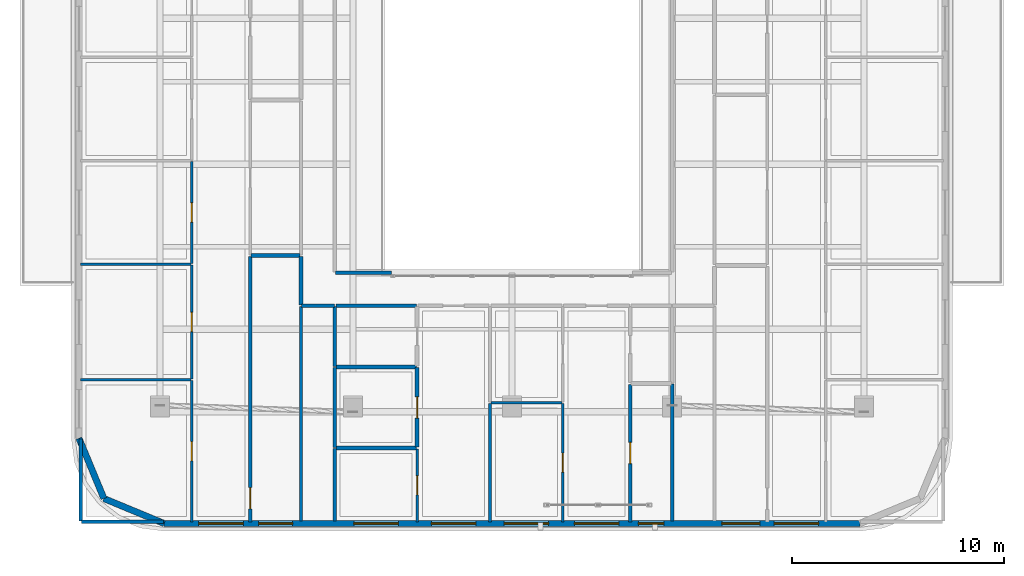
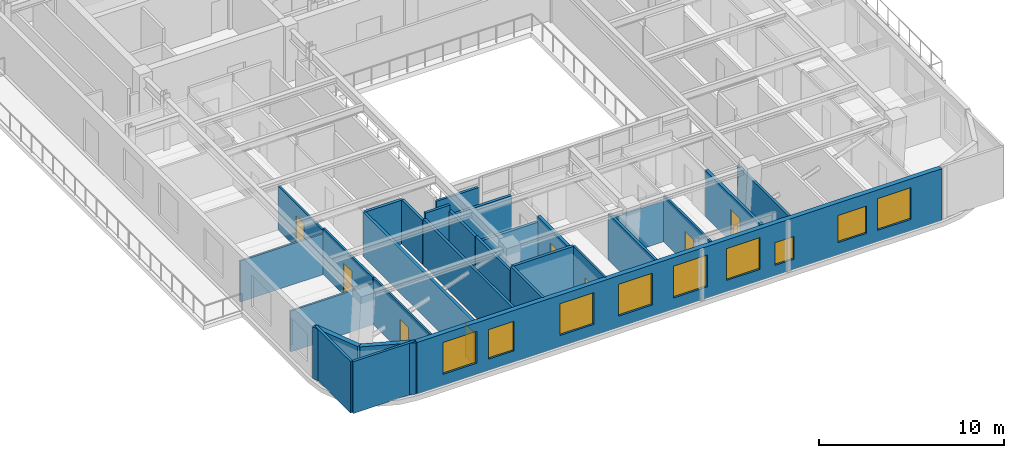
# One storey, part 6 of 14: 29 walls, 9 windows, 8 doors, 17 openings.
"""IFC4 building model written with IfcOpenShell, lengths in metres."""

import ifcopenshell
import ifcopenshell.guid

model = None  # the IFC model being written
_history = None  # IfcOwnerHistory: only IFC2X3 demands one
_inside = {}  # id of a spatial element -> (the spatial element, [elements in it])
_under = {}  # id of a project, library or spatial element -> (it, [spatial elements below it])
_declared = {}  # id of a project -> (the project, [libraries it declares])
_typed = {}  # id of a type object -> (the type object, [elements of that type])
_made_of = {}  # id of a material, layer set ... -> (it, [elements and type objects made of it])


def new_model(schema):
    """Start an empty IFC model of exactly this schema.

    Asked for "IFC4X3", IfcOpenShell would pick the latest addendum, in which some entities
    have other attributes; the version numbers below select the first issue.
    IFC2X3 requires an IfcOwnerHistory on every rooted entity: one is made here for all.
    """
    global model, _history
    if schema == "IFC4X3":
        model = ifcopenshell.file(schema_version=(4, 3, 0, 0))
    else:
        model = ifcopenshell.file(schema=schema)
    _inside.clear()
    _under.clear()
    _declared.clear()
    _typed.clear()
    _made_of.clear()
    _history = None
    if model.schema == "IFC2X3":
        org = make("IfcOrganization", Name="unknown")
        user = make(
            "IfcPersonAndOrganization",
            ThePerson=make("IfcPerson", FamilyName="unknown"),
            TheOrganization=org,
        )
        app = make(
            "IfcApplication",
            ApplicationDeveloper=org,
            Version="unknown",
            ApplicationFullName="unknown",
            ApplicationIdentifier="unknown",
        )
        _history = make(
            "IfcOwnerHistory",
            OwningUser=user,
            OwningApplication=app,
            ChangeAction="ADDED",
            CreationDate=0,
        )
    return model


def make(cls, **values):
    """One entity of the class cls with the attributes given. An attribute that is None is left unset."""
    return model.create_entity(
        cls, **{name: value for name, value in values.items() if value is not None}
    )


def rooted(cls, **values):
    """An entity with a GlobalId (a new one), such as an element, a storey or a relation."""
    return make(cls, GlobalId=ifcopenshell.guid.new(), OwnerHistory=_history, **values)


def si_unit(unit_type, name, prefix=None):
    """IfcSIUnit, for example si_unit("LENGTHUNIT", "METRE", prefix="MILLI")."""
    return make("IfcSIUnit", UnitType=unit_type, Prefix=prefix, Name=name)


def assignment(units):
    """IfcUnitAssignment: the units of a project."""
    return None if units is None else make("IfcUnitAssignment", Units=units)


def point(xyz):
    """IfcCartesianPoint."""
    return None if xyz is None else make("IfcCartesianPoint", Coordinates=xyz)


def direction(xyz):
    """IfcDirection."""
    return None if xyz is None else make("IfcDirection", DirectionRatios=xyz)


def frame(location, z_axis=None, x_axis=None):
    """IfcAxis2Placement3D, a coordinate frame: its origin and axes. An axis left out is left unset."""
    return make(
        "IfcAxis2Placement3D",
        Location=point(location),
        Axis=direction(z_axis),
        RefDirection=direction(x_axis),
    )


def frame_2d(location, x_axis=None):
    """IfcAxis2Placement2D, a coordinate frame in the plane: its origin and x axis."""
    return make(
        "IfcAxis2Placement2D", Location=point(location), RefDirection=direction(x_axis)
    )


def origin():
    """The frame at (0, 0, 0) with its axes left unset."""
    return frame((0.0, 0.0, 0.0))


def place(relative_to, where):
    """IfcLocalPlacement: puts the frame where relative to a parent placement (None: the world)."""
    return make(
        "IfcLocalPlacement", PlacementRelTo=relative_to, RelativePlacement=where
    )


def context(
    kind, dimensions, precision=None, world=None, true_north=None, identifier=None
):
    """IfcGeometricRepresentationContext, for example the 3D "Model" context."""
    return make(
        "IfcGeometricRepresentationContext",
        ContextIdentifier=identifier,
        ContextType=kind,
        CoordinateSpaceDimension=dimensions,
        Precision=precision,
        WorldCoordinateSystem=world,
        TrueNorth=true_north,
    )


def subcontext(parent, identifier, kind, view, scale=None):
    """IfcGeometricRepresentationSubContext, for example "Body" below "Model"."""
    return make(
        "IfcGeometricRepresentationSubContext",
        ContextIdentifier=identifier,
        ContextType=kind,
        ParentContext=parent,
        TargetScale=scale,
        TargetView=view,
    )


def project(units=None, contexts=None):
    """IfcProject with its units and contexts."""
    return rooted(
        "IfcProject",
        Name="project",
        RepresentationContexts=contexts,
        UnitsInContext=assignment(units),
    )


def spatial(cls, under=None, at=None, **own):
    """A site, building, storey or space (cls), placed at a placement, below another one or the project."""
    s = rooted(cls, ObjectPlacement=at, **own)
    if under is not None:
        _under.setdefault(under.id(), (under, []))[1].append(s)
    return s


def profile(cls, at=None, kind="AREA", **sizes):
    """A parametric profile (cls). Its sizes go by their IFC names, for example OverallWidth=200.0."""
    return make(cls, ProfileType=kind, Position=at, **sizes)


def rectangle(**sizes):
    """IfcRectangleProfileDef."""
    return profile("IfcRectangleProfileDef", **sizes)


def extrude(swept, where, along, depth):
    """IfcExtrudedAreaSolid: the profile swept, set in the frame where, extruded along a direction by depth."""
    return make(
        "IfcExtrudedAreaSolid",
        SweptArea=swept,
        Position=where,
        ExtrudedDirection=direction(along),
        Depth=depth,
    )


def shape(context_of_items, identifier, shape_type, items):
    """IfcShapeRepresentation: the items that make up one representation, for example the "Body"."""
    return make(
        "IfcShapeRepresentation",
        ContextOfItems=context_of_items,
        RepresentationIdentifier=identifier,
        RepresentationType=shape_type,
        Items=items,
    )


def material(Name=None, Category=None):
    """IfcMaterial."""
    return make("IfcMaterial", Name=Name, Category=Category)


def layer(
    of_material, thickness, ventilated=None, Name=None, Category=None, Priority=None
):
    """IfcMaterialLayer: one layer of a wall or slab, of a material (None: an air gap)."""
    return make(
        "IfcMaterialLayer",
        Material=of_material,
        LayerThickness=thickness,
        IsVentilated=ventilated,
        Name=Name,
        Category=Category,
        Priority=Priority,
    )


def layer_set(layers, Name=None):
    """IfcMaterialLayerSet."""
    return make("IfcMaterialLayerSet", MaterialLayers=layers, LayerSetName=Name)


def made_of(thing, what):
    """Note that an element or type object is made of a material, layer set ...; save() writes the relation."""
    if what is not None:
        _made_of.setdefault(what.id(), (what, []))[1].append(thing)
    return thing


def type_object(cls, material=None, **own):
    """A type object (cls), such as IfcWallType, which elements share."""
    return made_of(rooted(cls, **own), material)


def element(
    cls,
    number,
    at=None,
    inside=None,
    cuts=None,
    type_object=None,
    material=None,
    context=None,
    identifier="Body",
    shape_type=None,
    held_by="IfcProductDefinitionShape",
    body=None,
    shapes=None,
    **own,
):
    """One element of the class cls, such as IfcWall. Its Tag is "e" and its number.

    at: its placement. inside: the storey or other place that contains it. cuts: it is an
    opening in that element (IfcRelVoidsElement). A single representation is given by context,
    identifier, shape_type and body (its items); several are given by shapes. held_by: the class
    of the entity that holds the representations. save() writes the other relations.
    """
    e = rooted(cls, Tag="e%d" % number, ObjectPlacement=at, **own)
    if body is not None:
        shapes = [shape(context, identifier, shape_type, body)]
    if shapes is not None:
        e.Representation = make(held_by, Representations=shapes)
    if inside is not None:
        _inside.setdefault(inside.id(), (inside, []))[1].append(e)
    if cuts is not None:
        rooted(
            "IfcRelVoidsElement", RelatingBuildingElement=cuts, RelatedOpeningElement=e
        )
    if type_object is not None:
        _typed.setdefault(type_object.id(), (type_object, []))[1].append(e)
    return made_of(e, material)


def fill(opening, filler):
    """IfcRelFillsElement: the door or window that sits in an opening."""
    return rooted(
        "IfcRelFillsElement",
        RelatingOpeningElement=opening,
        RelatedBuildingElement=filler,
    )


def aggregate(whole, parts):
    """IfcRelAggregates: a whole, such as a stair, and the parts it consists of."""
    return rooted("IfcRelAggregates", RelatingObject=whole, RelatedObjects=parts)


def save(model, path):
    """Write the relations noted so far, then the file.

    IfcRelAggregates (storeys below a building ...), IfcRelContainedInSpatialStructure (elements
    in a storey), IfcRelDefinesByType, IfcRelAssociatesMaterial and IfcRelDeclares: one each for
    every whole, place, type object, material and project.
    """
    for whole, parts in _under.values():
        aggregate(whole, parts)
    for where, things in _inside.values():
        rooted(
            "IfcRelContainedInSpatialStructure",
            RelatedElements=things,
            RelatingStructure=where,
        )
    for kind, things in _typed.values():
        rooted("IfcRelDefinesByType", RelatedObjects=things, RelatingType=kind)
    for what, things in _made_of.values():
        rooted("IfcRelAssociatesMaterial", RelatedObjects=things, RelatingMaterial=what)
    for by, libraries in _declared.values():
        rooted("IfcRelDeclares", RelatingContext=by, RelatedDefinitions=libraries)
    model.write(path)


model = new_model("IFC4")

# Units and contexts
model_context = context("Model", 3, precision=1e-05, world=origin(), true_north=direction((0.0, 1.0)))
body_context = subcontext(model_context, "Body", "Model", "MODEL_VIEW")
ifc_project = project(units=[si_unit("LENGTHUNIT", "METRE"), si_unit("AREAUNIT", "SQUARE_METRE"), si_unit("VOLUMEUNIT", "CUBIC_METRE"), si_unit("PLANEANGLEUNIT", "RADIAN"), si_unit("MASSUNIT", "GRAM", prefix="KILO")], contexts=[model_context])

# Site, building, storey
site_placement = place(None, origin())
site = spatial("IfcSite", under=ifc_project, at=site_placement, CompositionType="ELEMENT")
building_placement = place(site_placement, origin())
building = spatial("IfcBuilding", under=site, at=building_placement, Name="Zarnavel Station Tower", CompositionType="ELEMENT")
storey_placement = place(building_placement, frame((0.0, 0.0, 243.60009765625)))
storey = spatial("IfcBuildingStorey", under=building, at=storey_placement, Name="L66", CompositionType="ELEMENT", Elevation=243.60009765625)

# Walls
ifc_material_1 = material(Name="Precast concrete C45/55 (Dark Basalt Finish)", Category="masonry")
ifc_layer_1 = layer(ifc_material_1, 0.300048828125)
ifc_layer_set_1 = layer_set([ifc_layer_1], Name="EW_BASALT_300")
wall_type_1 = type_object("IfcWallType", Name="EW_BASALT_300", PredefinedType="SOLIDWALL", material=ifc_layer_set_1)
wall_1_placement = place(storey_placement, frame((9.557373046875, -0.24267578125, 0.0), z_axis=(0.0, 0.0, 1.0), x_axis=(-0.382676475685, 0.923882414032, 0.0)))
element("IfcWall", 1, at=wall_1_placement, inside=storey, type_object=wall_type_1, Name="L66 Exterior Basalt Masonry Frame Wall 10", PredefinedType="SOLIDWALL", context=body_context, shape_type="SweptSolid", body=[
    extrude(rectangle(XDim=3.076904296875, YDim=0.300048828125, at=frame_2d((1.53857421875, 0.0))), origin(), (0.0, 0.0, 1.0), 3.419921875),
])
wall_2_placement = place(storey_placement, frame((12.39990234375, -1.419921875, 0.0), z_axis=(0.0, 0.0, 1.0), x_axis=(-0.92389884758, 0.382636798336, 0.0)))
element("IfcWall", 2, at=wall_2_placement, inside=storey, type_object=wall_type_1, Name="L66 Exterior Basalt Masonry Frame Wall 11", PredefinedType="SOLIDWALL", context=body_context, shape_type="SweptSolid", body=[
    extrude(rectangle(XDim=3.07666015625, YDim=0.300048828125, at=frame_2d((1.538330078125, 0.0))), origin(), (0.0, 0.0, 1.0), 3.419921875),
])

# Wall, openings, windows
wall_3_placement = place(storey_placement, frame((45.199951171875, -1.419921875, 0.0), z_axis=(0.0, 0.0, 1.0), x_axis=(-1.0, 0.0, 0.0)))
wall_3 = element("IfcWall", 3, at=wall_3_placement, inside=storey, type_object=wall_type_1, Name="L66 Exterior Basalt Masonry Frame Wall 12", PredefinedType="SOLIDWALL", context=body_context, shape_type="SweptSolid", body=[
    extrude(rectangle(XDim=32.800048828125, YDim=0.300048828125, at=frame_2d((16.39990234375, 0.0))), origin(), (0.0, 0.0, 1.0), 3.419921875),
])
opening_1_placement = place(wall_3_placement, frame((29.071044921875, 0.0, 0.75)))
opening_1 = element("IfcOpeningElement", 4, at=opening_1_placement, cuts=wall_3, Name="Opening WN05", PredefinedType="OPENING", context=body_context, shape_type="SweptSolid", body=[
    extrude(rectangle(XDim=2.10009765625, YDim=2.10009765625, at=frame_2d((1.050048828125, 1.050048828125))), frame((0.0, 0.159912109375, 0.0), z_axis=(0.0, -1.0, 0.0), x_axis=(1.0, 0.0, 0.0)), (0.0, 0.0, 1.0), 0.320068359375),
])
opening_2_placement = place(wall_3_placement, frame((26.7451171875, 0.0, 0.75)))
opening_2 = element("IfcOpeningElement", 5, at=opening_2_placement, cuts=wall_3, Name="Opening WN06", PredefinedType="OPENING", context=body_context, shape_type="SweptSolid", body=[
    extrude(rectangle(XDim=1.60009765625, YDim=1.949951171875, at=frame_2d((0.800048828125, 0.97509765625))), frame((0.0, 0.159912109375, 0.0), z_axis=(0.0, -1.0, 0.0), x_axis=(1.0, 0.0, 0.0)), (0.0, 0.0, 1.0), 0.320068359375),
])
opening_3_placement = place(wall_3_placement, frame((18.10498046875, 0.0, 0.75)))
opening_3 = element("IfcOpeningElement", 6, at=opening_3_placement, cuts=wall_3, Name="Opening WN05", PredefinedType="OPENING", context=body_context, shape_type="SweptSolid", body=[
    extrude(rectangle(XDim=2.10009765625, YDim=2.10009765625, at=frame_2d((1.050048828125, 1.050048828125))), frame((0.0, 0.159912109375, 0.0), z_axis=(0.0, -1.0, 0.0), x_axis=(1.0, 0.0, 0.0)), (0.0, 0.0, 1.0), 0.320068359375),
])
opening_4_placement = place(wall_3_placement, frame((21.761962890625, 0.0, 0.75)))
opening_4 = element("IfcOpeningElement", 7, at=opening_4_placement, cuts=wall_3, Name="Opening WN05", PredefinedType="OPENING", context=body_context, shape_type="SweptSolid", body=[
    extrude(rectangle(XDim=2.10009765625, YDim=2.10009765625, at=frame_2d((1.050048828125, 1.050048828125))), frame((0.0, 0.159912109375, 0.0), z_axis=(0.0, -1.0, 0.0), x_axis=(1.0, 0.0, 0.0)), (0.0, 0.0, 1.0), 0.320068359375),
])
opening_5_placement = place(wall_3_placement, frame((11.363525390625, 0.0, 0.75)))
opening_5 = element("IfcOpeningElement", 8, at=opening_5_placement, cuts=wall_3, Name="Opening WN05", PredefinedType="OPENING", context=body_context, shape_type="SweptSolid", body=[
    extrude(rectangle(XDim=2.10009765625, YDim=2.10009765625, at=frame_2d((1.050048828125, 1.050048828125))), frame((0.0, 0.159912109375, 0.0), z_axis=(0.0, -1.0, 0.0), x_axis=(1.0, 0.0, 0.0)), (0.0, 0.0, 1.0), 0.320068359375),
])
opening_6_placement = place(wall_3_placement, frame((9.237548828125, 0.0, 0.679931640625)))
opening_6 = element("IfcOpeningElement", 9, at=opening_6_placement, cuts=wall_3, Name="Opening WN08", PredefinedType="OPENING", context=body_context, shape_type="SweptSolid", body=[
    extrude(rectangle(XDim=1.199951171875, YDim=1.5, at=frame_2d((0.60009765625, 0.75))), frame((0.0, 0.159912109375, 0.0), z_axis=(0.0, -1.0, 0.0), x_axis=(1.0, 0.0, 0.0)), (0.0, 0.0, 1.0), 0.320068359375),
])
opening_7_placement = place(wall_3_placement, frame((14.6689453125, 0.0, 0.75)))
opening_7 = element("IfcOpeningElement", 10, at=opening_7_placement, cuts=wall_3, Name="Opening WN05", PredefinedType="OPENING", context=body_context, shape_type="SweptSolid", body=[
    extrude(rectangle(XDim=2.10009765625, YDim=2.10009765625, at=frame_2d((1.050048828125, 1.050048828125))), frame((0.0, 0.159912109375, 0.0), z_axis=(0.0, -1.0, 0.0), x_axis=(1.0, 0.0, 0.0)), (0.0, 0.0, 1.0), 0.320068359375),
])
opening_8_placement = place(wall_3_placement, frame((1.93701171875, 0.0, 0.75)))
opening_8 = element("IfcOpeningElement", 11, at=opening_8_placement, cuts=wall_3, Name="Opening WN05", PredefinedType="OPENING", context=body_context, shape_type="SweptSolid", body=[
    extrude(rectangle(XDim=2.10009765625, YDim=2.10009765625, at=frame_2d((1.050048828125, 1.050048828125))), frame((0.0, 0.159912109375, 0.0), z_axis=(0.0, -1.0, 0.0), x_axis=(1.0, 0.0, 0.0)), (0.0, 0.0, 1.0), 0.320068359375),
])
opening_9_placement = place(wall_3_placement, frame((4.708984375, 0.0, 0.800048828125)))
opening_9 = element("IfcOpeningElement", 12, at=opening_9_placement, cuts=wall_3, Name="Opening WN02", PredefinedType="OPENING", context=body_context, shape_type="SweptSolid", body=[
    extrude(rectangle(XDim=1.800048828125, YDim=1.800048828125, at=frame_2d((0.89990234375, 0.89990234375))), frame((0.0, 0.159912109375, 0.0), z_axis=(0.0, -1.0, 0.0), x_axis=(1.0, 0.0, 0.0)), (0.0, 0.0, 1.0), 0.320068359375),
])
ifc_material_2 = material(Name="Thermally Broken Black Aluminium and Low-E Dark Glass", Category="aluminium")
window_type_1 = type_object("IfcWindowType", Name="WN_1200x1500", PartitioningType="SINGLE_PANEL", PredefinedType="WINDOW", material=ifc_material_2)
window_1_placement = place(opening_6_placement, origin())
window_1 = element("IfcWindow", 13, at=window_1_placement, inside=storey, type_object=window_type_1, Name="L66 Recessed Facade Window 06", OverallHeight=1.5, OverallWidth=1.199951171875, PartitioningType="SINGLE_PANEL", PredefinedType="WINDOW", context=body_context, shape_type="SweptSolid", body=[
    extrude(rectangle(XDim=1.199951171875, YDim=1.5, at=frame_2d((0.60009765625, 0.75))), frame((0.0, 0.030029296875, 0.0), z_axis=(0.0, -1.0, 0.0), x_axis=(1.0, 0.0, 0.0)), (0.0, 0.0, 1.0), 0.06005859375),
])
fill(opening_6, window_1)
ifc_material_3 = material(Name="Thermally Broken Black Aluminium and Low-E Dark Glass", Category="aluminium")
window_type_2 = type_object("IfcWindowType", Name="WN_1600x1950", PartitioningType="DOUBLE_PANEL_VERTICAL", PredefinedType="WINDOW", material=ifc_material_3)
window_2_placement = place(opening_2_placement, origin())
window_2 = element("IfcWindow", 14, at=window_2_placement, inside=storey, type_object=window_type_2, Name="L66 Recessed Facade Window 02", OverallHeight=1.949951171875, OverallWidth=1.60009765625, PartitioningType="SINGLE_PANEL", PredefinedType="WINDOW", context=body_context, shape_type="SweptSolid", body=[
    extrude(rectangle(XDim=1.60009765625, YDim=1.949951171875, at=frame_2d((0.800048828125, 0.97509765625))), frame((0.0, 0.030029296875, 0.0), z_axis=(0.0, -1.0, 0.0), x_axis=(1.0, 0.0, 0.0)), (0.0, 0.0, 1.0), 0.06005859375),
])
fill(opening_2, window_2)
ifc_material_4 = material(Name="Thermally Broken Black Aluminium and Low-E Dark Glass", Category="aluminium")
window_type_3 = type_object("IfcWindowType", Name="WN_1800x1800", PartitioningType="DOUBLE_PANEL_VERTICAL", PredefinedType="WINDOW", material=ifc_material_4)
window_3_placement = place(opening_9_placement, origin())
window_3 = element("IfcWindow", 15, at=window_3_placement, inside=storey, type_object=window_type_3, Name="L66 Recessed Facade Window 09", OverallHeight=1.800048828125, OverallWidth=1.800048828125, PartitioningType="SINGLE_PANEL", PredefinedType="WINDOW", context=body_context, shape_type="SweptSolid", body=[
    extrude(rectangle(XDim=1.800048828125, YDim=1.800048828125, at=frame_2d((0.89990234375, 0.89990234375))), frame((0.0, 0.030029296875, 0.0), z_axis=(0.0, -1.0, 0.0), x_axis=(1.0, 0.0, 0.0)), (0.0, 0.0, 1.0), 0.06005859375),
])
fill(opening_9, window_3)
ifc_material_5 = material(Name="Thermally Broken Black Aluminium and Low-E Dark Glass", Category="aluminium")
window_type_4 = type_object("IfcWindowType", Name="WN_2100x2100", PartitioningType="TRIPLE_PANEL_VERTICAL", PredefinedType="WINDOW", material=ifc_material_5)
window_4_placement = place(opening_1_placement, origin())
window_4 = element("IfcWindow", 16, at=window_4_placement, inside=storey, type_object=window_type_4, Name="L66 Recessed Facade Window 01", OverallHeight=2.10009765625, OverallWidth=2.10009765625, PartitioningType="SINGLE_PANEL", PredefinedType="WINDOW", context=body_context, shape_type="SweptSolid", body=[
    extrude(rectangle(XDim=2.10009765625, YDim=2.10009765625, at=frame_2d((1.050048828125, 1.050048828125))), frame((0.0, 0.030029296875, 0.0), z_axis=(0.0, -1.0, 0.0), x_axis=(1.0, 0.0, 0.0)), (0.0, 0.0, 1.0), 0.06005859375),
])
fill(opening_1, window_4)
window_5_placement = place(opening_3_placement, origin())
window_5 = element("IfcWindow", 17, at=window_5_placement, inside=storey, type_object=window_type_4, Name="L66 Recessed Facade Window 03", OverallHeight=2.10009765625, OverallWidth=2.10009765625, PartitioningType="SINGLE_PANEL", PredefinedType="WINDOW", context=body_context, shape_type="SweptSolid", body=[
    extrude(rectangle(XDim=2.10009765625, YDim=2.10009765625, at=frame_2d((1.050048828125, 1.050048828125))), frame((0.0, 0.030029296875, 0.0), z_axis=(0.0, -1.0, 0.0), x_axis=(1.0, 0.0, 0.0)), (0.0, 0.0, 1.0), 0.06005859375),
])
fill(opening_3, window_5)
window_6_placement = place(opening_4_placement, origin())
window_6 = element("IfcWindow", 18, at=window_6_placement, inside=storey, type_object=window_type_4, Name="L66 Recessed Facade Window 04", OverallHeight=2.10009765625, OverallWidth=2.10009765625, PartitioningType="SINGLE_PANEL", PredefinedType="WINDOW", context=body_context, shape_type="SweptSolid", body=[
    extrude(rectangle(XDim=2.10009765625, YDim=2.10009765625, at=frame_2d((1.050048828125, 1.050048828125))), frame((0.0, 0.030029296875, 0.0), z_axis=(0.0, -1.0, 0.0), x_axis=(1.0, 0.0, 0.0)), (0.0, 0.0, 1.0), 0.06005859375),
])
fill(opening_4, window_6)
window_7_placement = place(opening_5_placement, origin())
window_7 = element("IfcWindow", 19, at=window_7_placement, inside=storey, type_object=window_type_4, Name="L66 Recessed Facade Window 05", OverallHeight=2.10009765625, OverallWidth=2.10009765625, PartitioningType="SINGLE_PANEL", PredefinedType="WINDOW", context=body_context, shape_type="SweptSolid", body=[
    extrude(rectangle(XDim=2.10009765625, YDim=2.10009765625, at=frame_2d((1.050048828125, 1.050048828125))), frame((0.0, 0.030029296875, 0.0), z_axis=(0.0, -1.0, 0.0), x_axis=(1.0, 0.0, 0.0)), (0.0, 0.0, 1.0), 0.06005859375),
])
fill(opening_5, window_7)
window_8_placement = place(opening_7_placement, origin())
window_8 = element("IfcWindow", 20, at=window_8_placement, inside=storey, type_object=window_type_4, Name="L66 Recessed Facade Window 07", OverallHeight=2.10009765625, OverallWidth=2.10009765625, PartitioningType="SINGLE_PANEL", PredefinedType="WINDOW", context=body_context, shape_type="SweptSolid", body=[
    extrude(rectangle(XDim=2.10009765625, YDim=2.10009765625, at=frame_2d((1.050048828125, 1.050048828125))), frame((0.0, 0.030029296875, 0.0), z_axis=(0.0, -1.0, 0.0), x_axis=(1.0, 0.0, 0.0)), (0.0, 0.0, 1.0), 0.06005859375),
])
fill(opening_7, window_8)
window_9_placement = place(opening_8_placement, origin())
window_9 = element("IfcWindow", 21, at=window_9_placement, inside=storey, type_object=window_type_4, Name="L66 Recessed Facade Window 08", OverallHeight=2.10009765625, OverallWidth=2.10009765625, PartitioningType="SINGLE_PANEL", PredefinedType="WINDOW", context=body_context, shape_type="SweptSolid", body=[
    extrude(rectangle(XDim=2.10009765625, YDim=2.10009765625, at=frame_2d((1.050048828125, 1.050048828125))), frame((0.0, 0.030029296875, 0.0), z_axis=(0.0, -1.0, 0.0), x_axis=(1.0, 0.0, 0.0)), (0.0, 0.0, 1.0), 0.06005859375),
])
fill(opening_8, window_9)

# Walls
ifc_material_6 = material(Name="Gypsum Twin-Stud Acoustic Fire Partition", Category="concrete")
ifc_layer_2 = layer(ifc_material_6, 0.159912109375)
ifc_layer_set_2 = layer_set([ifc_layer_2], Name="PT_DEMISE_160")
wall_type_2 = type_object("IfcWallType", Name="PT_DEMISE_160", PredefinedType="PARTITIONING", material=ifc_layer_set_2)
wall_4_placement = place(storey_placement, frame((27.763916015625, -1.340087890625, 0.0), z_axis=(0.0, 0.0, 1.0), x_axis=(0.0, 1.0, 0.0)))
element("IfcWall", 22, at=wall_4_placement, inside=storey, type_object=wall_type_2, Name="L66 Partition US1ALV-US1BB1", PredefinedType="PARTITIONING", context=body_context, shape_type="SweptSolid", body=[
    extrude(rectangle(XDim=5.5791015625, YDim=0.159912109375, at=frame_2d((2.78955078125, 0.0))), origin(), (0.0, 0.0, 1.0), 3.079833984375),
])
wall_5_placement = place(storey_placement, frame((18.8798828125, 8.85009765625, 0.0), z_axis=(0.0, 0.0, 1.0), x_axis=(1.0, 0.0, 0.0)))
element("IfcWall", 23, at=wall_5_placement, inside=storey, type_object=wall_type_2, Name="L66 Enclosure Wall COR-AW", PredefinedType="PARTITIONING", context=body_context, shape_type="SweptSolid", body=[
    extrude(rectangle(XDim=1.5400390625, YDim=0.159912109375, at=frame_2d((0.77001953125, 0.0))), origin(), (0.0, 0.0, 1.0), 3.419921875),
])
wall_6_placement = place(storey_placement, frame((20.47998046875, 10.39990234375, 0.0), z_axis=(0.0, 0.0, 1.0), x_axis=(1.0, 0.0, 0.0)))
element("IfcWall", 24, at=wall_6_placement, inside=storey, type_object=wall_type_2, Name="L66 Enclosure Wall COR-AS", PredefinedType="PARTITIONING", context=body_context, shape_type="SweptSolid", body=[
    extrude(rectangle(XDim=2.64013671875, YDim=0.159912109375, at=frame_2d((1.320068359375, 0.0))), origin(), (0.0, 0.0, 1.0), 2.699951171875),
])
wall_7_placement = place(storey_placement, frame((18.85009765625, -1.31005859375, 0.0), z_axis=(0.0, 0.0, 1.0), x_axis=(0.0, 1.0, 0.0)))
element("IfcWall", 25, at=wall_7_placement, inside=storey, type_object=wall_type_2, Name="L66 Enclosure Wall UW1KT", PredefinedType="PARTITIONING", context=body_context, shape_type="SweptSolid", body=[
    extrude(rectangle(XDim=10.130126953125, YDim=0.159912109375, at=frame_2d((5.06494140625, 0.0))), origin(), (0.0, 0.0, 1.0), 3.0498046875),
])
for number, where, z_axis, x_axis, name in (
    (26, (8.489990234375, -1.340087890625, 0.0), (0.0, 0.0, 1.0), (1.0, 0.0, 0.0), "L66 Enclosure Wall UW1B1"),
    (27, (8.4599609375, -1.31005859375, 0.0), (0.0, 0.0, 1.0), (0.0, 1.0, 0.0), "L66 Enclosure Wall UW1B1"),
):
    element("IfcWall", number, at=place(storey_placement, frame(where, z_axis=z_axis, x_axis=x_axis)), inside=storey, type_object=wall_type_2, Name=name, PredefinedType="PARTITIONING", context=body_context, shape_type="SweptSolid", body=[
        extrude(rectangle(XDim=3.880126953125, YDim=0.159912109375, at=frame_2d((1.93994140625, 0.0))), origin(), (0.0, 0.0, 1.0), 3.419921875),
    ])
wall_8_placement = place(storey_placement, frame((20.449951171875, -1.31005859375, 0.0), z_axis=(0.0, 0.0, 1.0), x_axis=(0.0, 1.0, 0.0)))
element("IfcWall", 28, at=wall_8_placement, inside=storey, type_object=wall_type_2, Name="L66 Enclosure Wall US1AB1", PredefinedType="PARTITIONING", context=body_context, shape_type="SweptSolid", body=[
    extrude(rectangle(XDim=3.423095703125, YDim=0.159912109375, at=frame_2d((1.71142578125, 0.0))), origin(), (0.0, 0.0, 1.0), 3.419921875),
])
wall_9_placement = place(storey_placement, frame((20.449951171875, 2.173095703125, 0.0), z_axis=(0.0, 0.0, 1.0), x_axis=(0.0, 1.0, 0.0)))
element("IfcWall", 29, at=wall_9_placement, inside=storey, type_object=wall_type_2, Name="L66 Enclosure Wall US1AKT", PredefinedType="PARTITIONING", context=body_context, shape_type="SweptSolid", body=[
    extrude(rectangle(XDim=3.762939453125, YDim=0.159912109375, at=frame_2d((1.88134765625, 0.0))), origin(), (0.0, 0.0, 1.0), 3.079833984375),
])
wall_10_placement = place(storey_placement, frame((20.449951171875, 5.99609375, 0.0), z_axis=(0.0, 0.0, 1.0), x_axis=(0.0, 1.0, 0.0)))
element("IfcWall", 30, at=wall_10_placement, inside=storey, type_object=wall_type_2, Name="L66 Enclosure Wall US1ABA", PredefinedType="PARTITIONING", context=body_context, shape_type="SweptSolid", body=[
    extrude(rectangle(XDim=2.823974609375, YDim=0.159912109375, at=frame_2d((1.412109375, 0.0))), origin(), (0.0, 0.0, 1.0), 3.0498046875),
])
wall_11_placement = place(storey_placement, frame((36.35009765625, -1.31005859375, 0.0), z_axis=(0.0, 0.0, 1.0), x_axis=(0.0, 1.0, 0.0)))
element("IfcWall", 31, at=wall_11_placement, inside=storey, type_object=wall_type_2, Name="L66 Enclosure Wall US1BKT", PredefinedType="PARTITIONING", context=body_context, shape_type="SweptSolid", body=[
    extrude(rectangle(XDim=6.462158203125, YDim=0.159912109375, at=frame_2d((3.23095703125, 0.0))), origin(), (0.0, 0.0, 1.0), 2.699951171875),
])

# Wall, opening, door
ifc_material_7 = material(Name="Gypsum Metal-Stud Interior Partition", Category="concrete")
ifc_layer_3 = layer(ifc_material_7, 0.1201171875)
ifc_layer_set_3 = layer_set([ifc_layer_3], Name="PT_ROOM_120")
wall_type_3 = type_object("IfcWallType", Name="PT_ROOM_120", PredefinedType="PARTITIONING", material=ifc_layer_set_3)
wall_12_placement = place(storey_placement, frame((13.697998046875, -1.340087890625, 0.0), z_axis=(0.0, 0.0, 1.0), x_axis=(0.0, 1.0, 0.0)))
wall_12 = element("IfcWall", 32, at=wall_12_placement, inside=storey, type_object=wall_type_3, Name="L66 Partition UW1LV-UW1B1", PredefinedType="PARTITIONING", context=body_context, shape_type="SweptSolid", body=[
    extrude(rectangle(XDim=6.656982421875, YDim=0.1201171875, at=frame_2d((3.32861328125, 0.0))), origin(), (0.0, 0.0, 1.0), 3.079833984375),
])
opening_10_placement = place(wall_12_placement, frame((2.87841796875, 0.0, 0.0)))
opening_10 = element("IfcOpeningElement", 33, at=opening_10_placement, cuts=wall_12, Name="Opening ID01", PredefinedType="OPENING", context=body_context, shape_type="SweptSolid", body=[
    extrude(rectangle(XDim=0.89990234375, YDim=2.10009765625, at=frame_2d((0.449951171875, 1.050048828125))), frame((0.0, 0.070068359375, 0.0), z_axis=(0.0, -1.0, 0.0), x_axis=(1.0, 0.0, 0.0)), (0.0, 0.0, 1.0), 0.14013671875),
])
ifc_material_8 = material(Name="Painted Galvanised Steel and Hardwood Leaf", Category="steel")
door_type_1 = type_object("IfcDoorType", Name="ID_ROOM_900", OperationType="NOTDEFINED", PredefinedType="DOOR", material=ifc_material_8)
door_1_placement = place(opening_10_placement, origin())
door_1 = element("IfcDoor", 34, at=door_1_placement, inside=storey, type_object=door_type_1, Name="L66 Door UW1LV-UW1B1", OperationType="SINGLE_SWING_LEFT", OverallHeight=2.10009765625, OverallWidth=0.89990234375, PredefinedType="DOOR", context=body_context, shape_type="SweptSolid", body=[
    extrude(rectangle(XDim=0.89990234375, YDim=2.10009765625, at=frame_2d((0.449951171875, 1.050048828125))), frame((0.0, 0.02490234375, 0.0), z_axis=(0.0, -1.0, 0.0), x_axis=(1.0, 0.0, 0.0)), (0.0, 0.0, 1.0), 0.050048828125),
])
fill(opening_10, door_1)

wall_13_placement = place(storey_placement, frame((13.697998046875, 5.39697265625, 0.0), z_axis=(0.0, 0.0, 1.0), x_axis=(0.0, 1.0, 0.0)))
wall_13 = element("IfcWall", 35, at=wall_13_placement, inside=storey, type_object=wall_type_3, Name="L66 Partition UW1LV-UW1B2", PredefinedType="PARTITIONING", context=body_context, shape_type="SweptSolid", body=[
    extrude(rectangle(XDim=5.369140625, YDim=0.1201171875, at=frame_2d((2.6845703125, 0.0))), origin(), (0.0, 0.0, 1.0), 3.0498046875),
])
opening_11_placement = place(wall_13_placement, frame((2.234619140625, 0.0, 0.0)))
opening_11 = element("IfcOpeningElement", 36, at=opening_11_placement, cuts=wall_13, Name="Opening ID01", PredefinedType="OPENING", context=body_context, shape_type="SweptSolid", body=[
    extrude(rectangle(XDim=0.89990234375, YDim=2.10009765625, at=frame_2d((0.449951171875, 1.050048828125))), frame((0.0, 0.070068359375, 0.0), z_axis=(0.0, -1.0, 0.0), x_axis=(1.0, 0.0, 0.0)), (0.0, 0.0, 1.0), 0.14013671875),
])
door_2_placement = place(opening_11_placement, origin())
door_2 = element("IfcDoor", 37, at=door_2_placement, inside=storey, type_object=door_type_1, Name="L66 Door UW1LV-UW1B2", OperationType="SINGLE_SWING_RIGHT", OverallHeight=2.10009765625, OverallWidth=0.89990234375, PredefinedType="DOOR", context=body_context, shape_type="SweptSolid", body=[
    extrude(rectangle(XDim=0.89990234375, YDim=2.10009765625, at=frame_2d((0.449951171875, 1.050048828125))), frame((0.0, 0.02490234375, 0.0), z_axis=(0.0, -1.0, 0.0), x_axis=(1.0, 0.0, 0.0)), (0.0, 0.0, 1.0), 0.050048828125),
])
fill(opening_11, door_2)

wall_14_placement = place(storey_placement, frame((13.697998046875, 10.845947265625, 0.0), z_axis=(0.0, 0.0, 1.0), x_axis=(0.0, 1.0, 0.0)))
wall_14 = element("IfcWall", 38, at=wall_14_placement, inside=storey, type_object=wall_type_3, Name="L66 Partition UW1LV-UW1B3", PredefinedType="PARTITIONING", context=body_context, shape_type="SweptSolid", body=[
    extrude(rectangle(XDim=4.801025390625, YDim=0.1201171875, at=frame_2d((2.400390625, 0.0))), origin(), (0.0, 0.0, 1.0), 2.89990234375),
])
opening_12_placement = place(wall_14_placement, frame((1.950439453125, 0.0, 0.0)))
opening_12 = element("IfcOpeningElement", 39, at=opening_12_placement, cuts=wall_14, Name="Opening ID01", PredefinedType="OPENING", context=body_context, shape_type="SweptSolid", body=[
    extrude(rectangle(XDim=0.89990234375, YDim=2.10009765625, at=frame_2d((0.449951171875, 1.050048828125))), frame((0.0, 0.070068359375, 0.0), z_axis=(0.0, -1.0, 0.0), x_axis=(1.0, 0.0, 0.0)), (0.0, 0.0, 1.0), 0.14013671875),
])
door_3_placement = place(opening_12_placement, origin())
door_3 = element("IfcDoor", 40, at=door_3_placement, inside=storey, type_object=door_type_1, Name="L66 Door UW1LV-UW1B3", OperationType="SINGLE_SWING_LEFT", OverallHeight=2.10009765625, OverallWidth=0.89990234375, PredefinedType="DOOR", context=body_context, shape_type="SweptSolid", body=[
    extrude(rectangle(XDim=0.89990234375, YDim=2.10009765625, at=frame_2d((0.449951171875, 1.050048828125))), frame((0.0, 0.02490234375, 0.0), z_axis=(0.0, -1.0, 0.0), x_axis=(1.0, 0.0, 0.0)), (0.0, 0.0, 1.0), 0.050048828125),
])
fill(opening_12, door_3)

# Walls
for number, where, z_axis, x_axis, name in (
    (41, (8.4599609375, 5.35693359375, 0.0), (0.0, 0.0, 1.0), (1.0, 0.0, 0.0), "L66 Partition UW1B1-UW1B2"),
    (42, (8.4599609375, 10.805908203125, 0.0), (0.0, 0.0, 1.0), (1.0, 0.0, 0.0), "L66 Partition UW1B2-UW1B3"),
):
    element("IfcWall", number, at=place(storey_placement, frame(where, z_axis=z_axis, x_axis=x_axis)), inside=storey, type_object=wall_type_3, Name=name, PredefinedType="PARTITIONING", context=body_context, shape_type="SweptSolid", body=[
        extrude(rectangle(XDim=5.197998046875, YDim=0.1201171875, at=frame_2d((2.59912109375, 0.0))), origin(), (0.0, 0.0, 1.0), 2.699951171875),
    ])

# Wall, opening, door
wall_15_placement = place(storey_placement, frame((24.325927734375, -1.340087890625, 0.0), z_axis=(0.0, 0.0, 1.0), x_axis=(0.0, 1.0, 0.0)))
wall_15 = element("IfcWall", 43, at=wall_15_placement, inside=storey, type_object=wall_type_3, Name="L66 Partition US1ALV-US1AB1", PredefinedType="PARTITIONING", context=body_context, shape_type="SweptSolid", body=[
    extrude(rectangle(XDim=3.443115234375, YDim=0.1201171875, at=frame_2d((1.7216796875, 0.0))), origin(), (0.0, 0.0, 1.0), 3.419921875),
])
opening_13_placement = place(wall_15_placement, frame((1.271484375, 0.0, 0.0)))
opening_13 = element("IfcOpeningElement", 44, at=opening_13_placement, cuts=wall_15, Name="Opening ID01", PredefinedType="OPENING", context=body_context, shape_type="SweptSolid", body=[
    extrude(rectangle(XDim=0.89990234375, YDim=2.10009765625, at=frame_2d((0.449951171875, 1.050048828125))), frame((0.0, 0.070068359375, 0.0), z_axis=(0.0, -1.0, 0.0), x_axis=(1.0, 0.0, 0.0)), (0.0, 0.0, 1.0), 0.14013671875),
])
door_4_placement = place(opening_13_placement, origin())
door_4 = element("IfcDoor", 45, at=door_4_placement, inside=storey, type_object=door_type_1, Name="L66 Door US1ALV-US1AB1", OperationType="SINGLE_SWING_RIGHT", OverallHeight=2.10009765625, OverallWidth=0.89990234375, PredefinedType="DOOR", context=body_context, shape_type="SweptSolid", body=[
    extrude(rectangle(XDim=0.89990234375, YDim=2.10009765625, at=frame_2d((0.449951171875, 1.050048828125))), frame((0.0, 0.02490234375, 0.0), z_axis=(0.0, -1.0, 0.0), x_axis=(1.0, 0.0, 0.0)), (0.0, 0.0, 1.0), 0.050048828125),
])
fill(opening_13, door_4)

wall_16_placement = place(storey_placement, frame((31.197998046875, -1.340087890625, 0.0), z_axis=(0.0, 0.0, 1.0), x_axis=(0.0, 1.0, 0.0)))
wall_16 = element("IfcWall", 46, at=wall_16_placement, inside=storey, type_object=wall_type_3, Name="L66 Partition US1BLV-US1BB1", PredefinedType="PARTITIONING", context=body_context, shape_type="SweptSolid", body=[
    extrude(rectangle(XDim=5.5791015625, YDim=0.1201171875, at=frame_2d((2.78955078125, 0.0))), origin(), (0.0, 0.0, 1.0), 3.079833984375),
])
opening_14_placement = place(wall_16_placement, frame((2.339599609375, 0.0, 0.0)))
opening_14 = element("IfcOpeningElement", 47, at=opening_14_placement, cuts=wall_16, Name="Opening ID01", PredefinedType="OPENING", context=body_context, shape_type="SweptSolid", body=[
    extrude(rectangle(XDim=0.89990234375, YDim=2.10009765625, at=frame_2d((0.449951171875, 1.050048828125))), frame((0.0, 0.070068359375, 0.0), z_axis=(0.0, -1.0, 0.0), x_axis=(1.0, 0.0, 0.0)), (0.0, 0.0, 1.0), 0.14013671875),
])
door_5_placement = place(opening_14_placement, origin())
door_5 = element("IfcDoor", 48, at=door_5_placement, inside=storey, type_object=door_type_1, Name="L66 Door US1BLV-US1BB1", OperationType="SINGLE_SWING_LEFT", OverallHeight=2.10009765625, OverallWidth=0.89990234375, PredefinedType="DOOR", context=body_context, shape_type="SweptSolid", body=[
    extrude(rectangle(XDim=0.89990234375, YDim=2.10009765625, at=frame_2d((0.449951171875, 1.050048828125))), frame((0.0, 0.02490234375, 0.0), z_axis=(0.0, -1.0, 0.0), x_axis=(1.0, 0.0, 0.0)), (0.0, 0.0, 1.0), 0.050048828125),
])
fill(opening_14, door_5)

# Walls
wall_17_placement = place(storey_placement, frame((27.803955078125, 4.279052734375, 0.0), z_axis=(0.0, 0.0, 1.0), x_axis=(1.0, 0.0, 0.0)))
element("IfcWall", 49, at=wall_17_placement, inside=storey, type_object=wall_type_3, Name="L66 Partition US1BB1-US1BB2", PredefinedType="PARTITIONING", context=body_context, shape_type="SweptSolid", body=[
    extrude(rectangle(XDim=3.35400390625, YDim=0.1201171875, at=frame_2d((1.677001953125, 0.0))), origin(), (0.0, 0.0, 1.0), 2.699951171875),
])
ifc_material_9 = material(Name="Moisture-Resistant Plumbing Chase Wall", Category="concrete")
ifc_layer_4 = layer(ifc_material_9, 0.179931640625)
ifc_layer_set_4 = layer_set([ifc_layer_4], Name="PW_PLUMB_180")
wall_type_4 = type_object("IfcWallType", Name="PW_PLUMB_180", PredefinedType="PLUMBINGWALL", material=ifc_layer_set_4)
wall_18_placement = place(storey_placement, frame((18.85009765625, 8.889892578125, 0.0), z_axis=(0.0, 0.0, 1.0), x_axis=(0.0, 1.0, 0.0)))
element("IfcWall", 50, at=wall_18_placement, inside=storey, type_object=wall_type_4, Name="L66 Partition COR-AW-UW1KT", PredefinedType="PLUMBINGWALL", context=body_context, shape_type="SweptSolid", body=[
    extrude(rectangle(XDim=2.2822265625, YDim=0.179931640625, at=frame_2d((1.14111328125, 0.0))), origin(), (0.0, 0.0, 1.0), 2.89990234375),
])
wall_19_placement = place(storey_placement, frame((20.489990234375, 8.85009765625, 0.0), z_axis=(0.0, 0.0, 1.0), x_axis=(1.0, 0.0, 0.0)))
element("IfcWall", 51, at=wall_19_placement, inside=storey, type_object=wall_type_4, Name="L66 Partition COR-AS-US1ABA", PredefinedType="PLUMBINGWALL", context=body_context, shape_type="SweptSolid", body=[
    extrude(rectangle(XDim=3.7958984375, YDim=0.179931640625, at=frame_2d((1.89794921875, 0.0))), origin(), (0.0, 0.0, 1.0), 2.699951171875),
])

# Wall, opening, door
wall_20_placement = place(storey_placement, frame((16.4599609375, -1.340087890625, 0.0), z_axis=(0.0, 0.0, 1.0), x_axis=(0.0, 1.0, 0.0)))
wall_20 = element("IfcWall", 52, at=wall_20_placement, inside=storey, type_object=wall_type_4, Name="L66 Partition UW1LV-UW1KT", PredefinedType="PLUMBINGWALL", context=body_context, shape_type="SweptSolid", body=[
    extrude(rectangle(XDim=12.51220703125, YDim=0.179931640625, at=frame_2d((6.256103515625, 0.0))), origin(), (0.0, 0.0, 1.0), 2.89990234375),
])
opening_15_placement = place(wall_20_placement, frame((0.60791015625, 0.0, 0.0)))
opening_15 = element("IfcOpeningElement", 53, at=opening_15_placement, cuts=wall_20, Name="Opening FD02", PredefinedType="OPENING", context=body_context, shape_type="SweptSolid", body=[
    extrude(rectangle(XDim=1.0, YDim=2.14990234375, at=frame_2d((0.5, 1.074951171875))), frame((0.0, 0.099853515625, 0.0), z_axis=(0.0, -1.0, 0.0), x_axis=(1.0, 0.0, 0.0)), (0.0, 0.0, 1.0), 0.199951171875),
])
ifc_material_10 = material(Name="Painted Galvanised Steel and Hardwood Leaf", Category="steel")
door_type_2 = type_object("IfcDoorType", Name="ID_ENTRY_1000", OperationType="NOTDEFINED", PredefinedType="DOOR", material=ifc_material_10)
door_6_placement = place(opening_15_placement, origin())
door_6 = element("IfcDoor", 54, at=door_6_placement, inside=storey, type_object=door_type_2, Name="L66 Door UW1LV-UW1KT", OperationType="SINGLE_SWING_RIGHT", OverallHeight=2.14990234375, OverallWidth=1.0, PredefinedType="DOOR", context=body_context, shape_type="SweptSolid", body=[
    extrude(rectangle(XDim=1.0, YDim=2.14990234375, at=frame_2d((0.5, 1.074951171875))), frame((0.0, 0.02490234375, 0.0), z_axis=(0.0, -1.0, 0.0), x_axis=(1.0, 0.0, 0.0)), (0.0, 0.0, 1.0), 0.050048828125),
])
fill(opening_15, door_6)

# Wall
wall_21_placement = place(storey_placement, frame((16.5, 11.2119140625, 0.0), z_axis=(0.0, 0.0, 1.0), x_axis=(1.0, 0.0, 0.0)))
element("IfcWall", 55, at=wall_21_placement, inside=storey, type_object=wall_type_4, Name="L66 Partition UW1KT-UW1UT", PredefinedType="PLUMBINGWALL", context=body_context, shape_type="SweptSolid", body=[
    extrude(rectangle(XDim=2.31005859375, YDim=0.179931640625, at=frame_2d((1.155029296875, 0.0))), origin(), (0.0, 0.0, 1.0), 2.89990234375),
])

# Wall, opening, door
wall_22_placement = place(storey_placement, frame((24.325927734375, 2.18310546875, 0.0), z_axis=(0.0, 0.0, 1.0), x_axis=(0.0, 1.0, 0.0)))
wall_22 = element("IfcWall", 56, at=wall_22_placement, inside=storey, type_object=wall_type_4, Name="L66 Partition US1ALV-US1AKT", PredefinedType="PLUMBINGWALL", context=body_context, shape_type="SweptSolid", body=[
    extrude(rectangle(XDim=3.742919921875, YDim=0.179931640625, at=frame_2d((1.87158203125, 0.0))), origin(), (0.0, 0.0, 1.0), 3.079833984375),
])
opening_16_placement = place(wall_22_placement, frame((1.37158203125, 0.0, 0.0)))
opening_16 = element("IfcOpeningElement", 57, at=opening_16_placement, cuts=wall_22, Name="Opening FD02", PredefinedType="OPENING", context=body_context, shape_type="SweptSolid", body=[
    extrude(rectangle(XDim=1.0, YDim=2.14990234375, at=frame_2d((0.5, 1.074951171875))), frame((0.0, 0.099853515625, 0.0), z_axis=(0.0, -1.0, 0.0), x_axis=(1.0, 0.0, 0.0)), (0.0, 0.0, 1.0), 0.199951171875),
])
door_7_placement = place(opening_16_placement, origin())
door_7 = element("IfcDoor", 58, at=door_7_placement, inside=storey, type_object=door_type_2, Name="L66 Door US1ALV-US1AKT", OperationType="SINGLE_SWING_LEFT", OverallHeight=2.14990234375, OverallWidth=1.0, PredefinedType="DOOR", context=body_context, shape_type="SweptSolid", body=[
    extrude(rectangle(XDim=1.0, YDim=2.14990234375, at=frame_2d((0.5, 1.074951171875))), frame((0.0, 0.02490234375, 0.0), z_axis=(0.0, -1.0, 0.0), x_axis=(1.0, 0.0, 0.0)), (0.0, 0.0, 1.0), 0.050048828125),
])
fill(opening_16, door_7)

# Walls
wall_23_placement = place(storey_placement, frame((20.489990234375, 2.14306640625, 0.0), z_axis=(0.0, 0.0, 1.0), x_axis=(1.0, 0.0, 0.0)))
element("IfcWall", 59, at=wall_23_placement, inside=storey, type_object=wall_type_4, Name="L66 Partition US1AB1-US1AKT", PredefinedType="PLUMBINGWALL", context=body_context, shape_type="SweptSolid", body=[
    extrude(rectangle(XDim=3.7958984375, YDim=0.179931640625, at=frame_2d((1.89794921875, 0.0))), origin(), (0.0, 0.0, 1.0), 3.419921875),
])
wall_24_placement = place(storey_placement, frame((20.489990234375, 5.966064453125, 0.0), z_axis=(0.0, 0.0, 1.0), x_axis=(1.0, 0.0, 0.0)))
element("IfcWall", 60, at=wall_24_placement, inside=storey, type_object=wall_type_4, Name="L66 Partition US1AKT-US1ABA", PredefinedType="PLUMBINGWALL", context=body_context, shape_type="SweptSolid", body=[
    extrude(rectangle(XDim=3.7958984375, YDim=0.179931640625, at=frame_2d((1.89794921875, 0.0))), origin(), (0.0, 0.0, 1.0), 2.699951171875),
])

# Wall, opening, door
wall_25_placement = place(storey_placement, frame((34.375, -1.340087890625, 0.0), z_axis=(0.0, 0.0, 1.0), x_axis=(0.0, 1.0, 0.0)))
wall_25 = element("IfcWall", 61, at=wall_25_placement, inside=storey, type_object=wall_type_4, Name="L66 Partition US1BLV-US1BKT", PredefinedType="PLUMBINGWALL", context=body_context, shape_type="SweptSolid", body=[
    extrude(rectangle(XDim=6.482177734375, YDim=0.179931640625, at=frame_2d((3.2412109375, 0.0))), origin(), (0.0, 0.0, 1.0), 3.079833984375),
])
opening_17_placement = place(wall_25_placement, frame((2.740966796875, 0.0, 0.0)))
opening_17 = element("IfcOpeningElement", 62, at=opening_17_placement, cuts=wall_25, Name="Opening FD02", PredefinedType="OPENING", context=body_context, shape_type="SweptSolid", body=[
    extrude(rectangle(XDim=1.0, YDim=2.14990234375, at=frame_2d((0.5, 1.074951171875))), frame((0.0, 0.099853515625, 0.0), z_axis=(0.0, -1.0, 0.0), x_axis=(1.0, 0.0, 0.0)), (0.0, 0.0, 1.0), 0.199951171875),
])
door_8_placement = place(opening_17_placement, origin())
door_8 = element("IfcDoor", 63, at=door_8_placement, inside=storey, type_object=door_type_2, Name="L66 Door US1BLV-US1BKT", OperationType="SINGLE_SWING_LEFT", OverallHeight=2.14990234375, OverallWidth=1.0, PredefinedType="DOOR", context=body_context, shape_type="SweptSolid", body=[
    extrude(rectangle(XDim=1.0, YDim=2.14990234375, at=frame_2d((0.5, 1.074951171875))), frame((0.0, 0.02490234375, 0.0), z_axis=(0.0, -1.0, 0.0), x_axis=(1.0, 0.0, 0.0)), (0.0, 0.0, 1.0), 0.050048828125),
])
fill(opening_17, door_8)

save(model, "model.ifc")
